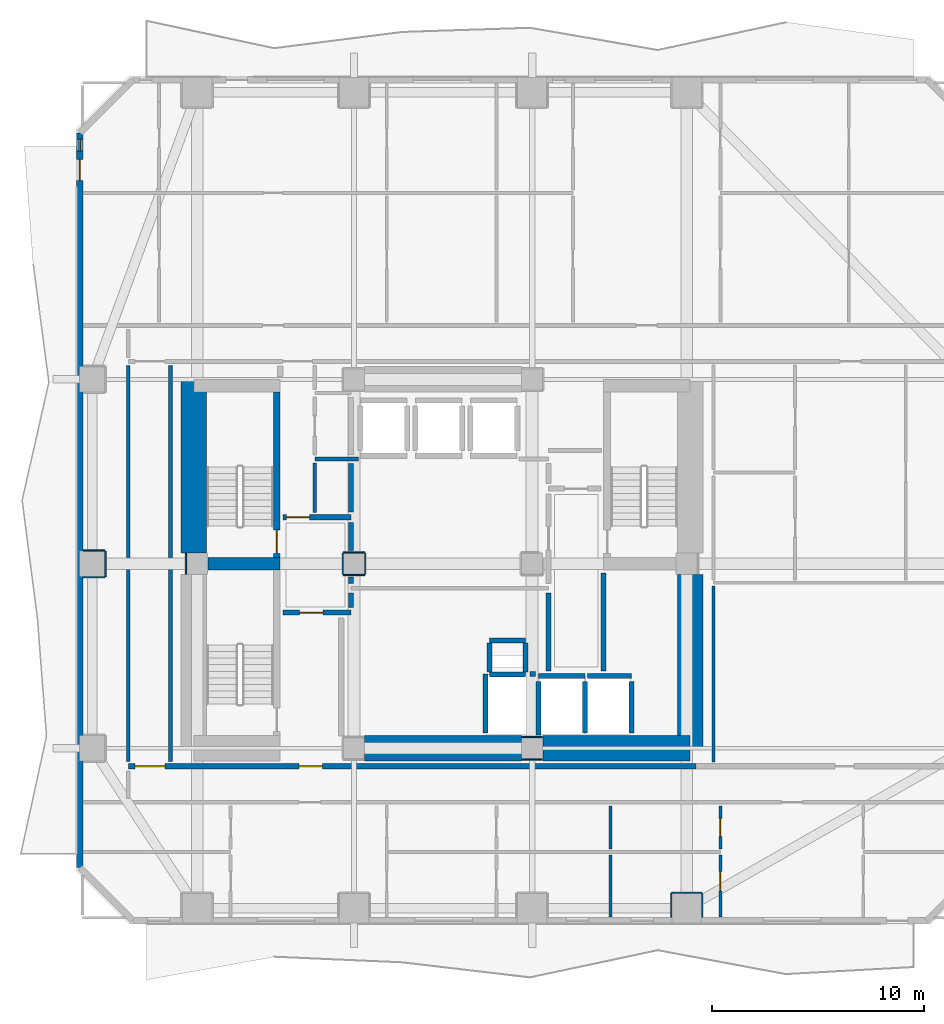
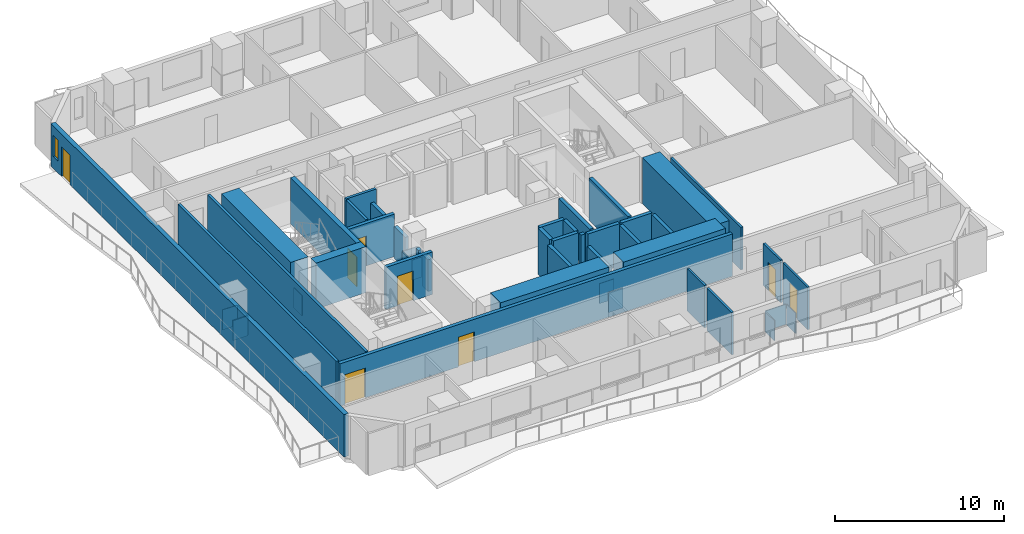
# One storey, part 3 of 11: 49 walls, 8 doors, 1 window, 9 openings.
"""IFC4 building model written with IfcOpenShell, lengths in metres."""

from ifc_helpers import new_model, si_unit, direction, frame, frame_2d, origin, place, context, subcontext, project, spatial, rectangle, extrude, material, layer, layer_set, type_object, element, fill, save


model = new_model("IFC4")

# Units and contexts
model_context = context("Model", 3, precision=1e-05, world=origin(), true_north=direction((0.0, 1.0)))
body_context = subcontext(model_context, "Body", "Model", "MODEL_VIEW")
ifc_project = project(units=[si_unit("LENGTHUNIT", "METRE"), si_unit("AREAUNIT", "SQUARE_METRE"), si_unit("VOLUMEUNIT", "CUBIC_METRE"), si_unit("PLANEANGLEUNIT", "RADIAN"), si_unit("MASSUNIT", "GRAM", prefix="KILO")], contexts=[model_context])

# Site, building, storey
site_placement = place(None, origin())
site = spatial("IfcSite", under=ifc_project, at=site_placement, CompositionType="ELEMENT")
building_placement = place(site_placement, origin())
building = spatial("IfcBuilding", under=site, at=building_placement, Name="Solanera Arch Residences", CompositionType="ELEMENT")
storey_placement = place(building_placement, frame((0.0, 0.0, 68.47998046875)))
storey = spatial("IfcBuildingStorey", under=building, at=storey_placement, Name="L19", CompositionType="ELEMENT", Elevation=68.47998046875)

# Walls
ifc_material_1 = material(Name="Fire-Rated Gypsum Stud Partition", Category="gypsum")
ifc_layer_1 = layer(ifc_material_1, 0.06005859375)
ifc_layer_set_1 = layer_set([ifc_layer_1], Name="Fire-Rated Gypsum Stud Partition")
wall_type_1 = type_object("IfcWallType", Name="Column Acoustic Furring Wall 60", PredefinedType="PARTITIONING", material=ifc_layer_set_1)
for number, where, z_axis, x_axis, name in (
    (1, (28.7099609375, 21.468017578125, 0.0), (0.0, 0.0, 1.0), (1.0, 0.0, 0.0), "L19 Column Furring 2S"),
    (2, (28.7099609375, 22.531982421875, 0.0), (0.0, 0.0, 1.0), (1.0, 0.0, 0.0), "L19 Column Furring 2N"),
    (3, (12.867919921875, 30.2099609375, 0.0), (0.0, 0.0, 1.0), (0.0, 1.0, 0.0), "L19 Column Furring 5W"),
):
    element("IfcWall", number, at=place(storey_placement, frame(where, z_axis=z_axis, x_axis=x_axis)), inside=storey, type_object=wall_type_1, Name=name, PredefinedType="PARTITIONING", context=body_context, shape_type="SweptSolid", body=[
        extrude(rectangle(XDim=0.97998046875, YDim=0.06005859375, at=frame_2d((0.489990234375, 0.0))), origin(), (0.0, 0.0, 1.0), 1.449951171875),
    ])
for number, where, z_axis, x_axis, name in (
    (4, (20.300048828125, 30.16796875, 0.0), (0.0, 0.0, 1.0), (1.0, 0.0, 0.0), "L19 Column Furring 7S"),
    (5, (20.300048828125, 31.23193359375, 0.0), (0.0, 0.0, 1.0), (1.0, 0.0, 0.0), "L19 Column Furring 7N"),
    (6, (20.26806640625, 30.199951171875, 0.0), (0.0, 0.0, 1.0), (0.0, 1.0, 0.0), "L19 Column Furring 7W"),
    (7, (21.33203125, 30.199951171875, 0.0), (0.0, 0.0, 1.0), (0.0, 1.0, 0.0), "L19 Column Furring 7E"),
):
    element("IfcWall", number, at=place(storey_placement, frame(where, z_axis=z_axis, x_axis=x_axis)), inside=storey, type_object=wall_type_1, Name=name, PredefinedType="PARTITIONING", context=body_context, shape_type="SweptSolid", body=[
        extrude(rectangle(XDim=1.0, YDim=0.06005859375, at=frame_2d((0.5, 0.0))), origin(), (0.0, 0.0, 1.0), 1.449951171875),
    ])
wall_1_placement = place(storey_placement, frame((35.800048828125, 15.181884765625, 0.0), z_axis=(0.0, 0.0, 1.0), x_axis=(1.0, 0.0, 0.0)))
element("IfcWall", 8, at=wall_1_placement, inside=storey, type_object=wall_type_1, Name="L19 Column Furring 15N", PredefinedType="PARTITIONING", context=body_context, shape_type="SweptSolid", body=[
    extrude(rectangle(XDim=1.39990234375, YDim=0.06005859375, at=frame_2d((0.699951171875, 0.0))), origin(), (0.0, 0.0, 1.0), 1.449951171875),
])
for number, where, z_axis, x_axis, name in (
    (9, (35.76806640625, 14.030029296875, 0.0), (0.0, 0.0, 1.0), (0.0, 1.0, 0.0), "L19 Column Furring 15W"),
    (10, (37.23193359375, 14.030029296875, 0.0), (0.0, 0.0, 1.0), (0.0, 1.0, 0.0), "L19 Column Furring 15E"),
):
    element("IfcWall", number, at=place(storey_placement, frame(where, z_axis=z_axis, x_axis=x_axis)), inside=storey, type_object=wall_type_1, Name=name, PredefinedType="PARTITIONING", context=body_context, shape_type="SweptSolid", body=[
        extrude(rectangle(XDim=1.119873046875, YDim=0.06005859375, at=frame_2d((0.56005859375, 0.0))), origin(), (0.0, 0.0, 1.0), 1.449951171875),
    ])
for number, where, z_axis, x_axis, name in (
    (11, (8.030029296875, 30.068115234375, 0.0), (0.0, 0.0, 1.0), (1.0, 0.0, 0.0), "L19 Column Furring 19S"),
    (12, (8.030029296875, 31.33203125, 0.0), (0.0, 0.0, 1.0), (1.0, 0.0, 0.0), "L19 Column Furring 19N"),
):
    element("IfcWall", number, at=place(storey_placement, frame(where, z_axis=z_axis, x_axis=x_axis)), inside=storey, type_object=wall_type_1, Name=name, PredefinedType="PARTITIONING", context=body_context, shape_type="SweptSolid", body=[
        extrude(rectangle(XDim=1.02001953125, YDim=0.06005859375, at=frame_2d((0.510009765625, 0.0))), origin(), (0.0, 0.0, 1.0), 1.449951171875),
    ])
wall_2_placement = place(storey_placement, frame((9.08203125, 30.10009765625, 0.0), z_axis=(0.0, 0.0, 1.0), x_axis=(0.0, 1.0, 0.0)))
element("IfcWall", 13, at=wall_2_placement, inside=storey, type_object=wall_type_1, Name="L19 Column Furring 19E", PredefinedType="PARTITIONING", context=body_context, shape_type="SweptSolid", body=[
    extrude(rectangle(XDim=1.199951171875, YDim=0.06005859375, at=frame_2d((0.60009765625, 0.0))), origin(), (0.0, 0.0, 1.0), 1.449951171875),
])
ifc_material_2 = material(Name="Concrete C55/67 (f'c = 60 MPa)", Category="concrete")
ifc_layer_2 = layer(ifc_material_2, 1.199951171875)
ifc_layer_set_2 = layer_set([ifc_layer_2], Name="Concrete C55/67 (f'c = 60 MPa)")
wall_type_2 = type_object("IfcWallType", Name="Core Shear Wall CW-1200", PredefinedType="SHEAR", material=ifc_layer_set_2)
wall_3_placement = place(storey_placement, frame((13.239990234375, 31.205078125, 0.0), z_axis=(0.0, 0.0, 1.0), x_axis=(0.0, 1.0, 0.0)))
element("IfcWall", 14, at=wall_3_placement, inside=storey, type_object=wall_type_2, Name="L19 West Core North Shear Wall", PredefinedType="SHEAR", context=body_context, shape_type="SweptSolid", body=[
    extrude(rectangle(XDim=8.19482421875, YDim=1.199951171875, at=frame_2d((4.097412109375, 0.0))), origin(), (0.0, 0.0, 1.0), 3.320068359375),
])
wall_4_placement = place(storey_placement, frame((36.659912109375, 22.0, 0.0), z_axis=(0.0, 0.0, 1.0), x_axis=(0.0, 1.0, 0.0)))
element("IfcWall", 15, at=wall_4_placement, inside=storey, type_object=wall_type_2, Name="L19 East Core South Shear Wall", PredefinedType="SHEAR", context=body_context, shape_type="SweptSolid", body=[
    extrude(rectangle(XDim=8.195068359375, YDim=1.199951171875, at=frame_2d((4.09765625, 0.0))), origin(), (0.0, 0.0, 1.0), 3.320068359375),
])
wall_5_placement = place(storey_placement, frame((29.705078125, 22.0, 0.0), z_axis=(0.0, 0.0, 1.0), x_axis=(1.0, 0.0, 0.0)))
element("IfcWall", 16, at=wall_5_placement, inside=storey, type_object=wall_type_2, Name="L19 South-East Core Shear Wall", PredefinedType="SHEAR", context=body_context, shape_type="SweptSolid", body=[
    extrude(rectangle(XDim=6.954833984375, YDim=1.199951171875, at=frame_2d((3.4775390625, 0.0))), origin(), (0.0, 0.0, 1.0), 3.320068359375),
])
wall_6_placement = place(storey_placement, frame((21.304931640625, 22.0, 0.0), z_axis=(0.0, 0.0, 1.0), x_axis=(1.0, 0.0, 0.0)))
element("IfcWall", 17, at=wall_6_placement, inside=storey, type_object=wall_type_2, Name="L19 Central South Core Shear Wall", PredefinedType="SHEAR", context=body_context, shape_type="SweptSolid", body=[
    extrude(rectangle(XDim=7.39013671875, YDim=1.199951171875, at=frame_2d((3.695068359375, 0.0))), origin(), (0.0, 0.0, 1.0), 3.320068359375),
])

# Wall, opening, door
ifc_material_3 = material(Name="Concrete C40/50 (f'c = 45 MPa)", Category="concrete")
ifc_layer_3 = layer(ifc_material_3, 0.320068359375)
ifc_layer_set_3 = layer_set([ifc_layer_3], Name="Concrete C40/50 (f'c = 45 MPa)")
wall_type_3 = type_object("IfcWallType", Name="Core Shear Wall CW-320", PredefinedType="SHEAR", material=ifc_layer_set_3)
wall_7_placement = place(storey_placement, frame((17.159912109375, 31.0, 0.0), z_axis=(0.0, 0.0, 1.0), x_axis=(0.0, 1.0, 0.0)))
wall_7 = element("IfcWall", 18, at=wall_7_placement, inside=storey, type_object=wall_type_3, Name="L19 Stair ST-T1 East Shear Wall", PredefinedType="SHEAR", context=body_context, shape_type="SweptSolid", body=[
    extrude(rectangle(XDim=7.800048828125, YDim=0.320068359375, at=frame_2d((3.89990234375, 0.0))), origin(), (0.0, 0.0, 1.0), 3.320068359375),
])
opening_1_placement = place(wall_7_placement, frame((0.18994140625, 0.0, 0.0)))
opening_1 = element("IfcOpeningElement", 19, at=opening_1_placement, cuts=wall_7, Name="Opening DF-01", PredefinedType="OPENING", context=body_context, shape_type="SweptSolid", body=[
    extrude(rectangle(XDim=1.10009765625, YDim=2.14990234375, at=frame_2d((0.550048828125, 1.074951171875))), frame((0.0, 0.169921875, 0.0), z_axis=(0.0, -1.0, 0.0), x_axis=(1.0, 0.0, 0.0)), (0.0, 0.0, 1.0), 0.3401),
])
ifc_material_4 = material(Name="Fire-Rated Architectural Hardwood", Category="wood")
door_type_1 = type_object("IfcDoorType", Name="Stair Exit Fire Door DF-01", OperationType="NOTDEFINED", PredefinedType="DOOR", material=ifc_material_4)
door_1_placement = place(opening_1_placement, origin())
door_1 = element("IfcDoor", 20, at=door_1_placement, inside=storey, type_object=door_type_1, Name="DR-L19-STAIR-ST-T1", OperationType="SINGLE_SWING_LEFT", OverallHeight=2.14990234375, OverallWidth=1.10009765625, PredefinedType="DOOR", context=body_context, shape_type="SweptSolid", body=[
    extrude(rectangle(XDim=1.10009765625, YDim=2.14990234375, at=frame_2d((0.550048828125, 1.074951171875))), frame((0.0, 0.02490234375, 0.0), z_axis=(0.0, -1.0, 0.0), x_axis=(1.0, 0.0, 0.0)), (0.0, 0.0, 1.0), 0.050048828125),
])
fill(opening_1, door_1)

# Walls
ifc_material_5 = material(Name="Concrete C40/50 (f'c = 45 MPa)", Category="concrete")
ifc_layer_4 = layer(ifc_material_5, 0.60009765625)
ifc_layer_set_4 = layer_set([ifc_layer_4], Name="Concrete C40/50 (f'c = 45 MPa)")
wall_type_4 = type_object("IfcWallType", Name="Core Shear Wall CW-600", PredefinedType="SHEAR", material=ifc_layer_set_4)
wall_8_placement = place(storey_placement, frame((13.905029296875, 30.699951171875, 0.0), z_axis=(0.0, 0.0, 1.0), x_axis=(1.0, 0.0, 0.0)))
element("IfcWall", 21, at=wall_8_placement, inside=storey, type_object=wall_type_4, Name="L19 West Stair Divider Shear Wall", PredefinedType="SHEAR", context=body_context, shape_type="SweptSolid", body=[
    extrude(rectangle(XDim=3.4150390625, YDim=0.60009765625, at=frame_2d((1.70751953125, 0.0))), origin(), (0.0, 0.0, 1.0), 3.320068359375),
])
ifc_material_6 = material(Name="Autoclaved Aerated Concrete Blockwork", Category="masonry")
ifc_layer_5 = layer(ifc_material_6, 0.179931640625)
ifc_layer_set_5 = layer_set([ifc_layer_5], Name="Autoclaved Aerated Concrete Blockwork")
wall_type_5 = type_object("IfcWallType", Name="Corridor Fire Partition 180", PredefinedType="PARTITIONING", material=ifc_layer_set_5)
wall_9_placement = place(storey_placement, frame((18.949951171875, 35.64990234375, 0.0), z_axis=(0.0, 0.0, 1.0), x_axis=(1.0, 0.0, 0.0)))
element("IfcWall", 22, at=wall_9_placement, inside=storey, type_object=wall_type_5, Name="L19 Interior Partition H8 1", PredefinedType="PARTITIONING", context=body_context, shape_type="SweptSolid", body=[
    extrude(rectangle(XDim=2.05712890625, YDim=0.179931640625, at=frame_2d((1.028564453125, 0.0))), origin(), (0.0, 0.0, 1.0), 3.06005859375),
])
for number, where, z_axis, x_axis, name in (
    (23, (10.14990234375, 21.367919921875, 0.0), (0.0, 0.0, 1.0), (0.0, 1.0, 0.0), "L19 Interior Partition V6 2"),
    (24, (12.14990234375, 21.367919921875, 0.0), (0.0, 0.0, 1.0), (0.0, 1.0, 0.0), "L19 Interior Partition V7"),
):
    element("IfcWall", number, at=place(storey_placement, frame(where, z_axis=z_axis, x_axis=x_axis)), inside=storey, type_object=wall_type_5, Name=name, PredefinedType="PARTITIONING", context=body_context, shape_type="SweptSolid", body=[
        extrude(rectangle(XDim=18.694091796875, YDim=0.179931640625, at=frame_2d((9.34716796875, 0.0))), origin(), (0.0, 0.0, 1.0), 3.06005859375),
    ])
wall_10_placement = place(storey_placement, frame((18.949951171875, 33.117919921875, 0.0), z_axis=(0.0, 0.0, 1.0), x_axis=(0.0, 1.0, 0.0)))
element("IfcWall", 25, at=wall_10_placement, inside=storey, type_object=wall_type_5, Name="L19 Interior Partition V8 1", PredefinedType="PARTITIONING", context=body_context, shape_type="SweptSolid", body=[
    extrude(rectangle(XDim=2.343994140625, YDim=0.179931640625, at=frame_2d((1.171875, 0.0))), origin(), (0.0, 0.0, 1.0), 3.06005859375),
])

# Wall, openings, door, window
ifc_material_7 = material(Name="Precast Concrete C35/45", Category="concrete")
ifc_layer_6 = layer(ifc_material_7, 0.300048828125)
ifc_layer_set_6 = layer_set([ifc_layer_6], Name="Precast Concrete C35/45")
wall_type_6 = type_object("IfcWallType", Name="Exterior Wall Precast Masonry-Frame 300", PredefinedType="STANDARD", material=ifc_layer_set_6)
wall_11_placement = place(storey_placement, frame((7.864990234375, 16.364990234375, 0.0), z_axis=(0.0, 0.0, 1.0), x_axis=(0.0, 1.0, 0.0)))
wall_11 = element("IfcWall", 26, at=wall_11_placement, inside=storey, type_object=wall_type_6, Name="L19 Tower Exterior Precast Masonry-Frame Wall W", PredefinedType="STANDARD", context=body_context, shape_type="SweptSolid", body=[
    extrude(rectangle(XDim=34.669921875, YDim=0.300048828125, at=frame_2d((17.3349609375, 0.0))), origin(), (0.0, 0.0, 1.0), 3.06005859375),
])
opening_2_placement = place(wall_11_placement, frame((32.4189453125, 0.0, 0.0)))
opening_2 = element("IfcOpeningElement", 27, at=opening_2_placement, cuts=wall_11, Name="Opening DB-01", PredefinedType="OPENING", context=body_context, shape_type="SweptSolid", body=[
    extrude(rectangle(XDim=1.0, YDim=2.14990234375, at=frame_2d((0.5, 1.074951171875))), frame((0.0, 0.159912109375, 0.0), z_axis=(0.0, -1.0, 0.0), x_axis=(1.0, 0.0, 0.0)), (0.0, 0.0, 1.0), 0.32),
])
opening_3_placement = place(wall_11_placement, frame((33.80908203125, 0.0, 0.85009765625)))
opening_3 = element("IfcOpeningElement", 28, at=opening_3_placement, cuts=wall_11, Name="Opening W-14", PredefinedType="OPENING", context=body_context, shape_type="SweptSolid", body=[
    extrude(rectangle(XDim=0.580078125, YDim=1.5, at=frame_2d((0.2900390625, 0.75))), frame((0.0, 0.159912109375, 0.0), z_axis=(0.0, -1.0, 0.0), x_axis=(1.0, 0.0, 0.0)), (0.0, 0.0, 1.0), 0.32),
])
ifc_material_8 = material(Name="Anodised Aluminium Alloy 6063-T6", Category="aluminium")
door_type_2 = type_object("IfcDoorType", Name="Glazed Balcony Swing Door DB-01", OperationType="NOTDEFINED", PredefinedType="DOOR", material=ifc_material_8)
door_2_placement = place(opening_2_placement, origin())
door_2 = element("IfcDoor", 29, at=door_2_placement, inside=storey, type_object=door_type_2, Name="DR-L19-OUT-04", OperationType="SINGLE_SWING_RIGHT", OverallHeight=2.14990234375, OverallWidth=1.0, PredefinedType="DOOR", context=body_context, shape_type="SweptSolid", body=[
    extrude(rectangle(XDim=1.0, YDim=2.14990234375, at=frame_2d((0.5, 1.074951171875))), frame((0.0, 0.02490234375, 0.0), z_axis=(0.0, -1.0, 0.0), x_axis=(1.0, 0.0, 0.0)), (0.0, 0.0, 1.0), 0.050048828125),
])
fill(opening_2, door_2)
ifc_material_9 = material(Name="Double Glazed Low-E Laminated Glass", Category="glass")
window_type = type_object("IfcWindowType", Name="Punched Window W-14", PartitioningType="SINGLE_PANEL", PredefinedType="WINDOW", material=ifc_material_9)
window_placement = place(opening_3_placement, origin())
window = element("IfcWindow", 30, at=window_placement, inside=storey, type_object=window_type, Name="L19 1903-BR1 Punched Window", OverallHeight=1.5, OverallWidth=0.580078125, PartitioningType="SINGLE_PANEL", PredefinedType="WINDOW", context=body_context, shape_type="SweptSolid", body=[
    extrude(rectangle(XDim=0.580078125, YDim=1.5, at=frame_2d((0.2900390625, 0.75))), frame((0.0, 0.030029296875, 0.0), z_axis=(0.0, -1.0, 0.0), x_axis=(1.0, 0.0, 0.0)), (0.0, 0.0, 1.0), 0.06005859375),
])
fill(opening_3, window)

# Walls
ifc_material_10 = material(Name="Concrete C40/50 (f'c = 45 MPa)", Category="concrete")
ifc_layer_7 = layer(ifc_material_10, 0.239990234375)
ifc_layer_set_7 = layer_set([ifc_layer_7], Name="Concrete C40/50 (f'c = 45 MPa)")
wall_type_7 = type_object("IfcWallType", Name="Ramp Bearing Shear Wall RW-240", PredefinedType="SHEAR", material=ifc_layer_set_7)
for number, where, z_axis, x_axis, name in (
    (31, (27.199951171875, 25.47998046875, 0.0), (0.0, 0.0, 1.0), (1.0, 0.0, 0.0), "L19 Core MEP Riser South Shaft Wall"),
    (32, (27.199951171875, 27.080078125, 0.0), (0.0, 0.0, 1.0), (1.0, 0.0, 0.0), "L19 Core MEP Riser North Shaft Wall"),
):
    element("IfcWall", number, at=place(storey_placement, frame(where, z_axis=z_axis, x_axis=x_axis)), inside=storey, type_object=wall_type_7, Name=name, PredefinedType="SHEAR", context=body_context, shape_type="SweptSolid", body=[
        extrude(rectangle(XDim=1.699951171875, YDim=0.239990234375, at=frame_2d((0.85009765625, 0.0))), origin(), (0.0, 0.0, 1.0), 3.320068359375),
    ])
for number, where, z_axis, x_axis, name in (
    (33, (27.199951171875, 25.60009765625, 0.0), (0.0, 0.0, 1.0), (0.0, 1.0, 0.0), "L19 Core MEP Riser West Shaft Wall"),
    (34, (28.89990234375, 25.60009765625, 0.0), (0.0, 0.0, 1.0), (0.0, 1.0, 0.0), "L19 Core MEP Riser East Shaft Wall"),
):
    element("IfcWall", number, at=place(storey_placement, frame(where, z_axis=z_axis, x_axis=x_axis)), inside=storey, type_object=wall_type_7, Name=name, PredefinedType="SHEAR", context=body_context, shape_type="SweptSolid", body=[
        extrude(rectangle(XDim=1.35986328125, YDim=0.239990234375, at=frame_2d((0.679931640625, 0.0))), origin(), (0.0, 0.0, 1.0), 3.320068359375),
    ])
ifc_material_11 = material(Name="Autoclaved Aerated Concrete Blockwork", Category="masonry")
ifc_layer_8 = layer(ifc_material_11, 0.239990234375)
ifc_layer_set_8 = layer_set([ifc_layer_8], Name="Autoclaved Aerated Concrete Blockwork")
wall_type_8 = type_object("IfcWallType", Name="Shaft Wall Fire-Rated 240", PredefinedType="PARTITIONING", material=ifc_layer_set_8)
wall_12_placement = place(storey_placement, frame((29.5, 25.39990234375, 0.0), z_axis=(0.0, 0.0, 1.0), x_axis=(1.0, 0.0, 0.0)))
element("IfcWall", 35, at=wall_12_placement, inside=storey, type_object=wall_type_8, Name="L19 Lift FFL-1 Hoistway Wall N", PredefinedType="PARTITIONING", context=body_context, shape_type="SweptSolid", body=[
    extrude(rectangle(XDim=2.199951171875, YDim=0.239990234375, at=frame_2d((1.10009765625, 0.0))), origin(), (0.0, 0.0, 1.0), 3.06005859375),
])
wall_13_placement = place(storey_placement, frame((29.5, 22.632080078125, 0.0), z_axis=(0.0, 0.0, 1.0), x_axis=(0.0, 1.0, 0.0)))
element("IfcWall", 36, at=wall_13_placement, inside=storey, type_object=wall_type_8, Name="L19 Lift FFL-1 Hoistway Wall W", PredefinedType="PARTITIONING", context=body_context, shape_type="SweptSolid", body=[
    extrude(rectangle(XDim=2.52001953125, YDim=0.239990234375, at=frame_2d((1.260009765625, 0.0))), origin(), (0.0, 0.0, 1.0), 2.294921875),
])
wall_14_placement = place(storey_placement, frame((31.699951171875, 22.72998046875, 0.0), z_axis=(0.0, 0.0, 1.0), x_axis=(0.0, 1.0, 0.0)))
element("IfcWall", 37, at=wall_14_placement, inside=storey, type_object=wall_type_8, Name="L19 Lift FFL-1 Hoistway Wall E", PredefinedType="PARTITIONING", context=body_context, shape_type="SweptSolid", body=[
    extrude(rectangle(XDim=2.422119140625, YDim=0.239990234375, at=frame_2d((1.2109375, 0.0))), origin(), (0.0, 0.0, 1.0), 3.06005859375),
])
wall_15_placement = place(storey_placement, frame((31.827880859375, 25.39990234375, 0.0), z_axis=(0.0, 0.0, 1.0), x_axis=(1.0, 0.0, 0.0)))
element("IfcWall", 38, at=wall_15_placement, inside=storey, type_object=wall_type_8, Name="L19 Lift FFL-2 Hoistway Wall N", PredefinedType="PARTITIONING", context=body_context, shape_type="SweptSolid", body=[
    extrude(rectangle(XDim=2.072021484375, YDim=0.239990234375, at=frame_2d((1.0361328125, 0.0))), origin(), (0.0, 0.0, 1.0), 3.06005859375),
])
wall_16_placement = place(storey_placement, frame((33.89990234375, 22.72998046875, 0.0), z_axis=(0.0, 0.0, 1.0), x_axis=(0.0, 1.0, 0.0)))
element("IfcWall", 39, at=wall_16_placement, inside=storey, type_object=wall_type_8, Name="L19 Lift FFL-2 Hoistway Wall E", PredefinedType="PARTITIONING", context=body_context, shape_type="SweptSolid", body=[
    extrude(rectangle(XDim=2.422119140625, YDim=0.239990234375, at=frame_2d((1.2109375, 0.0))), origin(), (0.0, 0.0, 1.0), 3.06005859375),
])
wall_17_placement = place(storey_placement, frame((29.10302734375, 25.5, 0.0), z_axis=(0.0, 0.0, 1.0), x_axis=(1.0, 0.0, 0.0)))
element("IfcWall", 40, at=wall_17_placement, inside=storey, type_object=wall_type_8, Name="L19 Lift SVL-1 Hoistway Wall N", PredefinedType="PARTITIONING", context=body_context, shape_type="SweptSolid", body=[
    extrude(rectangle(XDim=0.26904296875, YDim=0.239990234375, at=frame_2d((0.134521484375, 0.0))), origin(), (0.0, 0.0, 1.0), 3.06005859375),
])
wall_18_placement = place(storey_placement, frame((27.0, 22.72998046875, 0.0), z_axis=(0.0, 0.0, 1.0), x_axis=(0.0, 1.0, 0.0)))
element("IfcWall", 41, at=wall_18_placement, inside=storey, type_object=wall_type_8, Name="L19 Lift SVL-1 Hoistway Wall W", PredefinedType="PARTITIONING", context=body_context, shape_type="SweptSolid", body=[
    extrude(rectangle(XDim=2.76806640625, YDim=0.239990234375, at=frame_2d((1.384033203125, 0.0))), origin(), (0.0, 0.0, 1.0), 3.06005859375),
])

# Wall, openings, doors
wall_19_placement = place(storey_placement, frame((10.14990234375, 21.14990234375, 0.0), z_axis=(0.0, 0.0, 1.0), x_axis=(1.0, 0.0, 0.0)))
wall_19 = element("IfcWall", 42, at=wall_19_placement, inside=storey, type_object=wall_type_8, Name="L19 Interior Partition H1 1", PredefinedType="PARTITIONING", context=body_context, shape_type="SweptSolid", body=[
    extrude(rectangle(XDim=26.779052734375, YDim=0.239990234375, at=frame_2d((13.3896484375, 0.0))), origin(), (0.0, 0.0, 1.0), 3.06005859375),
])
opening_4_placement = place(wall_19_placement, frame((8.06005859375, 0.0, 0.0)))
opening_4 = element("IfcOpeningElement", 43, at=opening_4_placement, cuts=wall_19, Name="Opening DF-02", PredefinedType="OPENING", context=body_context, shape_type="SweptSolid", body=[
    extrude(rectangle(XDim=1.10009765625, YDim=2.14990234375, at=frame_2d((0.550048828125, 1.074951171875))), frame((0.0, 0.1298828125, 0.0), z_axis=(0.0, -1.0, 0.0), x_axis=(1.0, 0.0, 0.0)), (0.0, 0.0, 1.0), 0.26),
])
opening_5_placement = place(wall_19_placement, frame((0.323974609375, 0.0, 0.0)))
opening_5 = element("IfcOpeningElement", 44, at=opening_5_placement, cuts=wall_19, Name="Opening DF-03", PredefinedType="OPENING", context=body_context, shape_type="SweptSolid", body=[
    extrude(rectangle(XDim=1.39990234375, YDim=2.14990234375, at=frame_2d((0.699951171875, 1.074951171875))), frame((0.0, 0.1298828125, 0.0), z_axis=(0.0, -1.0, 0.0), x_axis=(1.0, 0.0, 0.0)), (0.0, 0.0, 1.0), 0.26),
])
ifc_material_12 = material(Name="Fire-Rated Architectural Hardwood", Category="wood")
door_type_3 = type_object("IfcDoorType", Name="Corridor Smoke Door DF-03", OperationType="NOTDEFINED", PredefinedType="DOOR", material=ifc_material_12)
door_3_placement = place(opening_5_placement, origin())
door_3 = element("IfcDoor", 45, at=door_3_placement, inside=storey, type_object=door_type_3, Name="DR-L19-IN-010", OperationType="SINGLE_SWING_RIGHT", OverallHeight=2.14990234375, OverallWidth=1.39990234375, PredefinedType="DOOR", context=body_context, shape_type="SweptSolid", body=[
    extrude(rectangle(XDim=1.39990234375, YDim=2.14990234375, at=frame_2d((0.699951171875, 1.074951171875))), frame((0.0, 0.02490234375, 0.0), z_axis=(0.0, -1.0, 0.0), x_axis=(1.0, 0.0, 0.0)), (0.0, 0.0, 1.0), 0.050048828125),
])
fill(opening_5, door_3)
ifc_material_13 = material(Name="Fire-Rated Architectural Hardwood", Category="wood")
door_type_4 = type_object("IfcDoorType", Name="Firefighting Lobby Fire Door DF-02", OperationType="NOTDEFINED", PredefinedType="DOOR", material=ifc_material_13)
door_4_placement = place(opening_4_placement, origin())
door_4 = element("IfcDoor", 46, at=door_4_placement, inside=storey, type_object=door_type_4, Name="DR-L19-IN-008", OperationType="SINGLE_SWING_RIGHT", OverallHeight=2.14990234375, OverallWidth=1.10009765625, PredefinedType="DOOR", context=body_context, shape_type="SweptSolid", body=[
    extrude(rectangle(XDim=1.10009765625, YDim=2.14990234375, at=frame_2d((0.550048828125, 1.074951171875))), frame((0.0, 0.02490234375, 0.0), z_axis=(0.0, -1.0, 0.0), x_axis=(1.0, 0.0, 0.0)), (0.0, 0.0, 1.0), 0.050048828125),
])
fill(opening_4, door_4)

# Wall, opening, door
wall_20_placement = place(storey_placement, frame((17.449951171875, 28.39990234375, 0.0), z_axis=(0.0, 0.0, 1.0), x_axis=(1.0, 0.0, 0.0)))
wall_20 = element("IfcWall", 47, at=wall_20_placement, inside=storey, type_object=wall_type_8, Name="L19 Interior Partition H3", PredefinedType="PARTITIONING", context=body_context, shape_type="SweptSolid", body=[
    extrude(rectangle(XDim=3.199951171875, YDim=0.239990234375, at=frame_2d((1.60009765625, 0.0))), origin(), (0.0, 0.0, 1.0), 3.06005859375),
])
opening_6_placement = place(wall_20_placement, frame((0.783935546875, 0.0, 0.0)))
opening_6 = element("IfcOpeningElement", 48, at=opening_6_placement, cuts=wall_20, Name="Opening DF-02", PredefinedType="OPENING", context=body_context, shape_type="SweptSolid", body=[
    extrude(rectangle(XDim=1.10009765625, YDim=2.14990234375, at=frame_2d((0.550048828125, 1.074951171875))), frame((0.0, 0.1298828125, 0.0), z_axis=(0.0, -1.0, 0.0), x_axis=(1.0, 0.0, 0.0)), (0.0, 0.0, 1.0), 0.26),
])
door_5_placement = place(opening_6_placement, origin())
door_5 = element("IfcDoor", 49, at=door_5_placement, inside=storey, type_object=door_type_4, Name="DR-L19-IN-004", OperationType="SINGLE_SWING_RIGHT", OverallHeight=2.14990234375, OverallWidth=1.10009765625, PredefinedType="DOOR", context=body_context, shape_type="SweptSolid", body=[
    extrude(rectangle(XDim=1.10009765625, YDim=2.14990234375, at=frame_2d((0.550048828125, 1.074951171875))), frame((0.0, 0.02490234375, 0.0), z_axis=(0.0, -1.0, 0.0), x_axis=(1.0, 0.0, 0.0)), (0.0, 0.0, 1.0), 0.050048828125),
])
fill(opening_6, door_5)

wall_21_placement = place(storey_placement, frame((17.449951171875, 32.89990234375, 0.0), z_axis=(0.0, 0.0, 1.0), x_axis=(1.0, 0.0, 0.0)))
wall_21 = element("IfcWall", 50, at=wall_21_placement, inside=storey, type_object=wall_type_8, Name="L19 Interior Partition H4", PredefinedType="PARTITIONING", context=body_context, shape_type="SweptSolid", body=[
    extrude(rectangle(XDim=3.199951171875, YDim=0.239990234375, at=frame_2d((1.60009765625, 0.0))), origin(), (0.0, 0.0, 1.0), 3.06005859375),
])
opening_7_placement = place(wall_21_placement, frame((0.158935546875, 0.0, 0.0)))
opening_7 = element("IfcOpeningElement", 51, at=opening_7_placement, cuts=wall_21, Name="Opening DF-02", PredefinedType="OPENING", context=body_context, shape_type="SweptSolid", body=[
    extrude(rectangle(XDim=1.10009765625, YDim=2.14990234375, at=frame_2d((0.550048828125, 1.074951171875))), frame((0.0, 0.1298828125, 0.0), z_axis=(0.0, -1.0, 0.0), x_axis=(1.0, 0.0, 0.0)), (0.0, 0.0, 1.0), 0.26),
])
door_6_placement = place(opening_7_placement, origin())
door_6 = element("IfcDoor", 52, at=door_6_placement, inside=storey, type_object=door_type_4, Name="DR-L19-IN-005", OperationType="SINGLE_SWING_LEFT", OverallHeight=2.14990234375, OverallWidth=1.10009765625, PredefinedType="DOOR", context=body_context, shape_type="SweptSolid", body=[
    extrude(rectangle(XDim=1.10009765625, YDim=2.14990234375, at=frame_2d((0.550048828125, 1.074951171875))), frame((0.0, 0.02490234375, 0.0), z_axis=(0.0, -1.0, 0.0), x_axis=(1.0, 0.0, 0.0)), (0.0, 0.0, 1.0), 0.050048828125),
])
fill(opening_7, door_6)

# Walls
wall_22_placement = place(storey_placement, frame((20.64990234375, 28.64794921875, 0.0), z_axis=(0.0, 0.0, 1.0), x_axis=(0.0, 1.0, 0.0)))
element("IfcWall", 53, at=wall_22_placement, inside=storey, type_object=wall_type_8, Name="L19 Interior Partition V3 1", PredefinedType="PARTITIONING", context=body_context, shape_type="SweptSolid", body=[
    extrude(rectangle(XDim=0.68408203125, YDim=0.239990234375, at=frame_2d((0.342041015625, 0.0))), origin(), (0.0, 0.0, 1.0), 2.294921875),
])
wall_23_placement = place(storey_placement, frame((20.64990234375, 29.76806640625, 0.0), z_axis=(0.0, 0.0, 1.0), x_axis=(0.0, 1.0, 0.0)))
element("IfcWall", 54, at=wall_23_placement, inside=storey, type_object=wall_type_8, Name="L19 Interior Partition V3 2", PredefinedType="PARTITIONING", context=body_context, shape_type="SweptSolid", body=[
    extrude(rectangle(XDim=0.300048828125, YDim=0.239990234375, at=frame_2d((0.14990234375, 0.0))), origin(), (0.0, 0.0, 1.0), 2.294921875),
])
wall_24_placement = place(storey_placement, frame((20.64990234375, 31.33203125, 0.0), z_axis=(0.0, 0.0, 1.0), x_axis=(0.0, 1.0, 0.0)))
element("IfcWall", 55, at=wall_24_placement, inside=storey, type_object=wall_type_8, Name="L19 Interior Partition V3 3", PredefinedType="PARTITIONING", context=body_context, shape_type="SweptSolid", body=[
    extrude(rectangle(XDim=1.320068359375, YDim=0.239990234375, at=frame_2d((0.66015625, 0.0))), origin(), (0.0, 0.0, 1.0), 2.294921875),
])
wall_25_placement = place(storey_placement, frame((20.64990234375, 33.14794921875, 0.0), z_axis=(0.0, 0.0, 1.0), x_axis=(0.0, 1.0, 0.0)))
element("IfcWall", 56, at=wall_25_placement, inside=storey, type_object=wall_type_8, Name="L19 Interior Partition V3 4", PredefinedType="PARTITIONING", context=body_context, shape_type="SweptSolid", body=[
    extrude(rectangle(XDim=2.283935546875, YDim=0.239990234375, at=frame_2d((1.14208984375, 0.0))), origin(), (0.0, 0.0, 1.0), 2.294921875),
])
wall_26_placement = place(storey_placement, frame((29.97509765625, 25.64794921875, 0.0), z_axis=(0.0, 0.0, 1.0), x_axis=(0.0, 1.0, 0.0)))
element("IfcWall", 57, at=wall_26_placement, inside=storey, type_object=wall_type_8, Name="L19 Interior Partition V4 1", PredefinedType="PARTITIONING", context=body_context, shape_type="SweptSolid", body=[
    extrude(rectangle(XDim=3.68408203125, YDim=0.239990234375, at=frame_2d((1.842041015625, 0.0))), origin(), (0.0, 0.0, 1.0), 3.06005859375),
])
wall_27_placement = place(storey_placement, frame((32.580078125, 25.64794921875, 0.0), z_axis=(0.0, 0.0, 1.0), x_axis=(0.0, 1.0, 0.0)))
element("IfcWall", 58, at=wall_27_placement, inside=storey, type_object=wall_type_8, Name="L19 Interior Partition V5", PredefinedType="PARTITIONING", context=body_context, shape_type="SweptSolid", body=[
    extrude(rectangle(XDim=4.6220703125, YDim=0.239990234375, at=frame_2d((2.31103515625, 0.0))), origin(), (0.0, 0.0, 1.0), 3.06005859375),
])
ifc_material_14 = material(Name="Autoclaved Aerated Concrete Blockwork", Category="masonry")
ifc_layer_9 = layer(ifc_material_14, 0.139892578125)
ifc_layer_set_9 = layer_set([ifc_layer_9], Name="Autoclaved Aerated Concrete Blockwork")
wall_type_9 = type_object("IfcWallType", Name="Wet-Room Partition 140", PredefinedType="PARTITIONING", material=ifc_layer_set_9)
wall_28_placement = place(storey_placement, frame((32.89208984375, 14.027099609375, 0.0), z_axis=(0.0, 0.0, 1.0), x_axis=(0.0, 1.0, 0.0)))
element("IfcWall", 59, at=wall_28_placement, inside=storey, type_object=wall_type_9, Name="L19 Interior Partition V17 1", PredefinedType="PARTITIONING", context=body_context, shape_type="SweptSolid", body=[
    extrude(rectangle(XDim=2.931884765625, YDim=0.139892578125, at=frame_2d((1.4658203125, 0.0))), origin(), (0.0, 0.0, 1.0), 3.06005859375),
])
wall_29_placement = place(storey_placement, frame((32.89208984375, 17.2548828125, 0.0), z_axis=(0.0, 0.0, 1.0), x_axis=(0.0, 1.0, 0.0)))
element("IfcWall", 60, at=wall_29_placement, inside=storey, type_object=wall_type_9, Name="L19 Interior Partition V17 2", PredefinedType="PARTITIONING", context=body_context, shape_type="SweptSolid", body=[
    extrude(rectangle(XDim=2.027099609375, YDim=0.139892578125, at=frame_2d((1.013671875, 0.0))), origin(), (0.0, 0.0, 1.0), 3.06005859375),
])
wall_30_placement = place(storey_placement, frame((37.75, 21.347900390625, 0.0), z_axis=(0.0, 0.0, 1.0), x_axis=(0.0, 1.0, 0.0)))
element("IfcWall", 61, at=wall_30_placement, inside=storey, type_object=wall_type_9, Name="L19 Interior Partition V18 1", PredefinedType="PARTITIONING", context=body_context, shape_type="SweptSolid", body=[
    extrude(rectangle(XDim=8.314208984375, YDim=0.139892578125, at=frame_2d((4.1572265625, 0.0))), origin(), (0.0, 0.0, 1.0), 3.06005859375),
])

# Wall, opening, door
wall_31_placement = place(storey_placement, frame((38.083984375, 14.027099609375, 0.0), z_axis=(0.0, 0.0, 1.0), x_axis=(0.0, 1.0, 0.0)))
wall_31 = element("IfcWall", 62, at=wall_31_placement, inside=storey, type_object=wall_type_9, Name="L19 Interior Partition V19 1", PredefinedType="PARTITIONING", context=body_context, shape_type="SweptSolid", body=[
    extrude(rectangle(XDim=2.931884765625, YDim=0.139892578125, at=frame_2d((1.4658203125, 0.0))), origin(), (0.0, 0.0, 1.0), 3.06005859375),
])
opening_8_placement = place(wall_31_placement, frame((1.2490234375, 0.0, 0.0)))
opening_8 = element("IfcOpeningElement", 63, at=opening_8_placement, cuts=wall_31, Name="Opening DI-03", PredefinedType="OPENING", context=body_context, shape_type="SweptSolid", body=[
    extrude(rectangle(XDim=0.89990234375, YDim=2.10009765625, at=frame_2d((0.449951171875, 1.050048828125))), frame((0.0, 0.079833984375, 0.0), z_axis=(0.0, -1.0, 0.0), x_axis=(1.0, 0.0, 0.0)), (0.0, 0.0, 1.0), 0.1599),
])
ifc_material_15 = material(Name="Fire-Rated Architectural Hardwood", Category="wood")
door_type_5 = type_object("IfcDoorType", Name="Bedroom Swing Door DI-03", OperationType="NOTDEFINED", PredefinedType="DOOR", material=ifc_material_15)
door_7_placement = place(opening_8_placement, origin())
door_7 = element("IfcDoor", 64, at=door_7_placement, inside=storey, type_object=door_type_5, Name="DR-L19-IN-022", OperationType="SINGLE_SWING_RIGHT", OverallHeight=2.10009765625, OverallWidth=0.89990234375, PredefinedType="DOOR", context=body_context, shape_type="SweptSolid", body=[
    extrude(rectangle(XDim=0.89990234375, YDim=2.10009765625, at=frame_2d((0.449951171875, 1.050048828125))), frame((0.0, 0.02490234375, 0.0), z_axis=(0.0, -1.0, 0.0), x_axis=(1.0, 0.0, 0.0)), (0.0, 0.0, 1.0), 0.050048828125),
])
fill(opening_8, door_7)

wall_32_placement = place(storey_placement, frame((38.083984375, 17.2548828125, 0.0), z_axis=(0.0, 0.0, 1.0), x_axis=(0.0, 1.0, 0.0)))
wall_32 = element("IfcWall", 65, at=wall_32_placement, inside=storey, type_object=wall_type_9, Name="L19 Interior Partition V19 2", PredefinedType="PARTITIONING", context=body_context, shape_type="SweptSolid", body=[
    extrude(rectangle(XDim=2.027099609375, YDim=0.139892578125, at=frame_2d((1.013671875, 0.0))), origin(), (0.0, 0.0, 1.0), 3.06005859375),
])
opening_9_placement = place(wall_32_placement, frame((0.5810546875, 0.0, 0.0)))
opening_9 = element("IfcOpeningElement", 66, at=opening_9_placement, cuts=wall_32, Name="Opening DI-05", PredefinedType="OPENING", context=body_context, shape_type="SweptSolid", body=[
    extrude(rectangle(XDim=0.860107421875, YDim=2.02001953125, at=frame_2d((0.43017578125, 1.010009765625))), frame((0.0, 0.079833984375, 0.0), z_axis=(0.0, -1.0, 0.0), x_axis=(1.0, 0.0, 0.0)), (0.0, 0.0, 1.0), 0.1599),
])
ifc_material_16 = material(Name="Fire-Rated Architectural Hardwood", Category="wood")
door_type_6 = type_object("IfcDoorType", Name="Bathroom Swing Door DI-05", OperationType="NOTDEFINED", PredefinedType="DOOR", material=ifc_material_16)
door_8_placement = place(opening_9_placement, origin())
door_8 = element("IfcDoor", 67, at=door_8_placement, inside=storey, type_object=door_type_6, Name="DR-L19-IN-021", OperationType="SINGLE_SWING_LEFT", OverallHeight=2.02001953125, OverallWidth=0.860107421875, PredefinedType="DOOR", context=body_context, shape_type="SweptSolid", body=[
    extrude(rectangle(XDim=0.860107421875, YDim=2.02001953125, at=frame_2d((0.43017578125, 1.010009765625))), frame((0.0, 0.02490234375, 0.0), z_axis=(0.0, -1.0, 0.0), x_axis=(1.0, 0.0, 0.0)), (0.0, 0.0, 1.0), 0.050048828125),
])
fill(opening_9, door_8)

save(model, "model.ifc")
